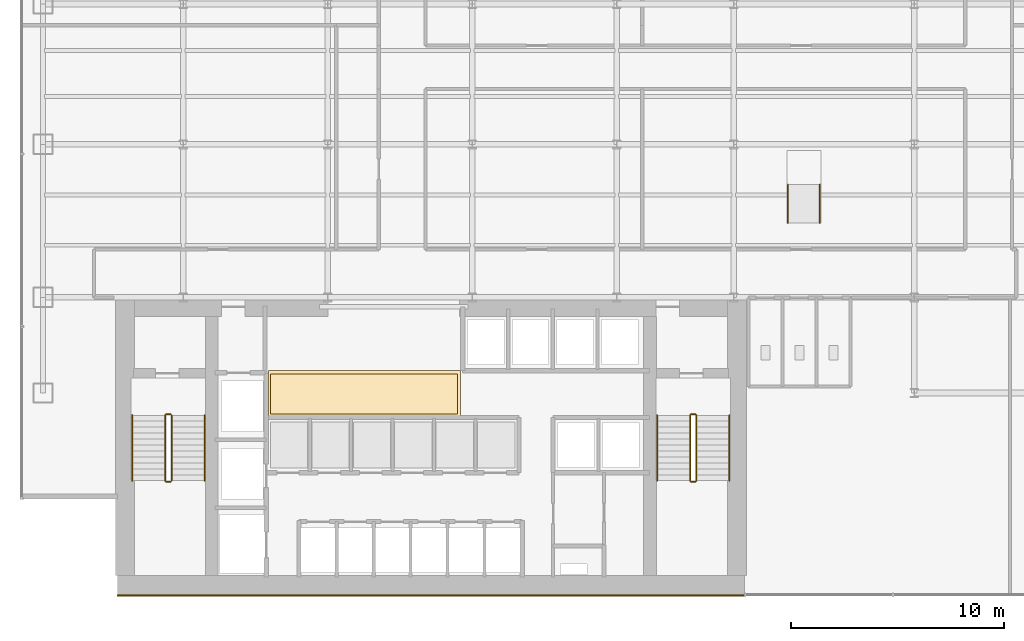
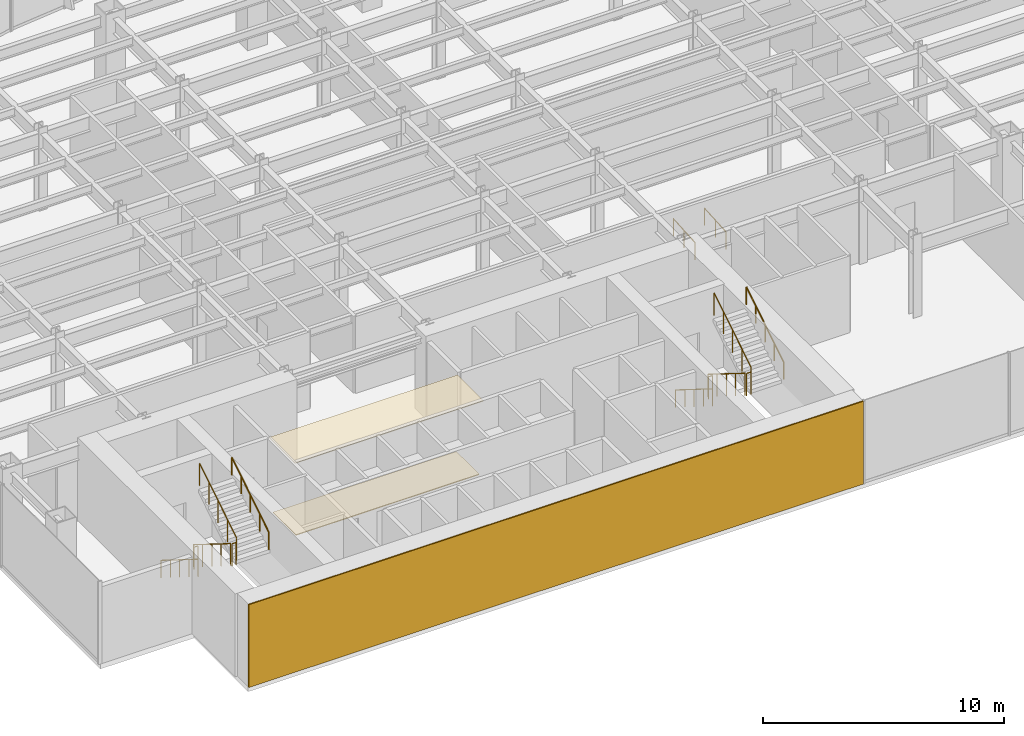
# One storey, part 32 of 35: 14 railings, 3 coverings.
"""IFC4 building model written with IfcOpenShell, lengths in metres."""

from ifc_helpers import new_model, si_unit, derived_unit, direction, frame, origin, origin_2d, place, context, subcontext, project, spatial, polyline, rectangle, circle, outline, extrude, source, transform, mapped, material, layer, layer_set, type_object, element, save


model = new_model("IFC4")

# Units and contexts
model_context = context("Model", 3, precision=1e-05, world=origin(), true_north=direction((0.0, 1.0)))
body_context = subcontext(model_context, "Body", "Model", "MODEL_VIEW")
ifc_project = project(units=[si_unit("LENGTHUNIT", "METRE"), si_unit("AREAUNIT", "SQUARE_METRE"), si_unit("VOLUMEUNIT", "CUBIC_METRE"), si_unit("PLANEANGLEUNIT", "RADIAN"), si_unit("MASSUNIT", "GRAM", prefix="KILO"), derived_unit("THERMALTRANSMITTANCEUNIT", [(si_unit("POWERUNIT", "WATT"), 1), (si_unit("LENGTHUNIT", "METRE"), -2), (si_unit("THERMODYNAMICTEMPERATUREUNIT", "KELVIN"), -1)])], contexts=[model_context])

# Site, building, storey
site_placement = place(None, origin())
site = spatial("IfcSite", under=ifc_project, at=site_placement, CompositionType="ELEMENT")
building_placement = place(site_placement, origin())
building = spatial("IfcBuilding", under=site, at=building_placement, Name="Skarnbrae Concourse Arena and Tower", CompositionType="ELEMENT")
storey_placement = place(building_placement, frame((0.0, 0.0, 79.949951171875)))
storey = spatial("IfcBuildingStorey", under=building, at=storey_placement, Name="L19", CompositionType="ELEMENT", Elevation=79.949951171875)

# Coverings
ifc_material_1 = material(Name="Mineral fibre acoustic ceiling tile", Category="other")
ifc_layer_1 = layer(ifc_material_1, 0.0400390625)
ifc_layer_set_1 = layer_set([ifc_layer_1], Name="Mineral fibre acoustic ceiling tile")
covering_type_1 = type_object("IfcCoveringType", Name="COV-CEIL-ACOUSTIC", PredefinedType="CEILING", material=ifc_layer_set_1)
covering_1_placement = place(storey_placement, frame((0.0, 0.0, 3.739990234375)))
element("IfcCovering", 1, at=covering_1_placement, inside=storey, type_object=covering_type_1, Name="L19 Lift lobby acoustic ceiling", PredefinedType="CEILING", context=body_context, shape_type="SweptSolid", body=[
    extrude(outline(polyline([(11.60009765625, 8.39990234375), (20.64990234375, 8.39990234375), (20.64990234375, 10.550048828125), (11.60009765625, 10.550048828125), (11.60009765625, 8.39990234375)])), origin(), (0.0, 0.0, 1.0), 0.0400390625),
])
ifc_material_2 = material(Name="Polished granite terrazzo flooring", Category="masonry")
ifc_layer_2 = layer(ifc_material_2, 0.0400390625)
ifc_layer_set_2 = layer_set([ifc_layer_2], Name="Polished granite terrazzo flooring")
covering_type_2 = type_object("IfcCoveringType", Name="COV-FLOOR-TERRAZZO", PredefinedType="FLOORING", material=ifc_layer_set_2)
covering_2_placement = place(storey_placement, origin())
element("IfcCovering", 2, at=covering_2_placement, inside=storey, type_object=covering_type_2, Name="L19 Lift lobby terrazzo flooring", PredefinedType="FLOORING", context=body_context, shape_type="SweptSolid", body=[
    extrude(outline(polyline([(11.699951171875, 8.5), (20.5, 8.5), (20.5, 10.39990234375), (11.699951171875, 10.39990234375), (11.699951171875, 8.5)])), origin(), (0.0, 0.0, 1.0), 0.0400390625),
])

# Railings
ifc_material_3 = material(Name="Steel CSA G40.21 350W", Category="steel")
railing_type_1 = type_object("IfcRailingType", Name="RAIL-HANDRAIL-900", PredefinedType="HANDRAIL", material=ifc_material_3)
railing_1_placement = place(storey_placement, frame((5.199951171875, 8.449951171875, 0.175048828125)))
element("IfcRailing", 3, at=railing_1_placement, inside=storey, type_object=railing_type_1, Name="L19 ST-1 stair handrail 1", PredefinedType="HANDRAIL", context=body_context, shape_type="SweptSolid", body=[
    extrude(circle(Radius=0.02392578125, at=origin_2d()), frame((0.0, 0.0, 0.8759765625), z_axis=(0.0, -0.847979421464, 0.530029150871), x_axis=(1.0, 0.0, 0.0)), (0.0, 0.0, 1.0), 3.632080078125),
    extrude(circle(Radius=0.02099609375, at=origin_2d()), origin(), (0.0, 0.0, 1.0), 0.851806640625),
    extrude(circle(Radius=0.02099609375, at=origin_2d()), frame((0.0, -0.77001953125, 0.481201171875)), (0.0, 0.0, 1.0), 0.851806640625),
    extrude(circle(Radius=0.02099609375, at=origin_2d()), frame((0.0, -1.5400390625, 0.96240234375)), (0.0, 0.0, 1.0), 0.851806640625),
    extrude(circle(Radius=0.02099609375, at=origin_2d()), frame((0.0, -2.309814453125, 1.44384765625)), (0.0, 0.0, 1.0), 0.851806640625),
    extrude(circle(Radius=0.02099609375, at=origin_2d()), frame((0.0, -3.079833984375, 1.925048828125)), (0.0, 0.0, 1.0), 0.851806640625),
])
railing_2_placement = place(storey_placement, frame((8.60009765625, 5.3701171875, 2.275146484375)))
element("IfcRailing", 4, at=railing_2_placement, inside=storey, type_object=railing_type_1, Name="L19 ST-1 stair handrail 2", PredefinedType="HANDRAIL", context=body_context, shape_type="SweptSolid", body=[
    extrude(circle(Radius=0.02392578125, at=origin_2d()), frame((0.0, 0.0, 0.8759765625), z_axis=(0.0, 0.848009633417, 0.529980812513), x_axis=(-1.0, 0.0, 0.0)), (0.0, 0.0, 1.0), 3.6318359375),
    extrude(circle(Radius=0.02099609375, at=origin_2d()), origin(), (0.0, 0.0, 1.0), 0.851806640625),
    extrude(circle(Radius=0.02099609375, at=origin_2d()), frame((0.0, 0.77001953125, 0.481201171875)), (0.0, 0.0, 1.0), 0.851806640625),
    extrude(circle(Radius=0.02099609375, at=origin_2d()), frame((0.0, 1.5400390625, 0.96240234375)), (0.0, 0.0, 1.0), 0.851806640625),
    extrude(circle(Radius=0.02099609375, at=origin_2d()), frame((0.0, 2.309814453125, 1.443603515625)), (0.0, 0.0, 1.0), 0.851806640625),
    extrude(circle(Radius=0.02099609375, at=origin_2d()), frame((0.0, 3.079833984375, 1.9248046875)), (0.0, 0.0, 1.0), 0.851806640625),
])
railing_3_placement = place(storey_placement, frame((29.89990234375, 8.449951171875, 0.175048828125)))
element("IfcRailing", 5, at=railing_3_placement, inside=storey, type_object=railing_type_1, Name="L19 ST-2 stair handrail 1", PredefinedType="HANDRAIL", context=body_context, shape_type="SweptSolid", body=[
    extrude(circle(Radius=0.02392578125, at=origin_2d()), frame((0.0, 0.0, 0.8759765625), z_axis=(0.0, -0.847979421464, 0.530029150871), x_axis=(1.0, 0.0, 0.0)), (0.0, 0.0, 1.0), 3.632080078125),
    extrude(circle(Radius=0.02099609375, at=origin_2d()), origin(), (0.0, 0.0, 1.0), 0.851806640625),
    extrude(circle(Radius=0.02099609375, at=origin_2d()), frame((0.0, -0.77001953125, 0.481201171875)), (0.0, 0.0, 1.0), 0.851806640625),
    extrude(circle(Radius=0.02099609375, at=origin_2d()), frame((0.0, -1.5400390625, 0.96240234375)), (0.0, 0.0, 1.0), 0.851806640625),
    extrude(circle(Radius=0.02099609375, at=origin_2d()), frame((0.0, -2.309814453125, 1.44384765625)), (0.0, 0.0, 1.0), 0.851806640625),
    extrude(circle(Radius=0.02099609375, at=origin_2d()), frame((0.0, -3.079833984375, 1.925048828125)), (0.0, 0.0, 1.0), 0.851806640625),
])
railing_4_placement = place(storey_placement, frame((33.300048828125, 5.3701171875, 2.275146484375)))
element("IfcRailing", 6, at=railing_4_placement, inside=storey, type_object=railing_type_1, Name="L19 ST-2 stair handrail 2", PredefinedType="HANDRAIL", context=body_context, shape_type="SweptSolid", body=[
    extrude(circle(Radius=0.02392578125, at=origin_2d()), frame((0.0, 0.0, 0.8759765625), z_axis=(0.0, 0.848009633417, 0.529980812513), x_axis=(-1.0, 0.0, 0.0)), (0.0, 0.0, 1.0), 3.6318359375),
    extrude(circle(Radius=0.02099609375, at=origin_2d()), origin(), (0.0, 0.0, 1.0), 0.851806640625),
    extrude(circle(Radius=0.02099609375, at=origin_2d()), frame((0.0, 0.77001953125, 0.481201171875)), (0.0, 0.0, 1.0), 0.851806640625),
    extrude(circle(Radius=0.02099609375, at=origin_2d()), frame((0.0, 1.5400390625, 0.96240234375)), (0.0, 0.0, 1.0), 0.851806640625),
    extrude(circle(Radius=0.02099609375, at=origin_2d()), frame((0.0, 2.309814453125, 1.443603515625)), (0.0, 0.0, 1.0), 0.851806640625),
    extrude(circle(Radius=0.02099609375, at=origin_2d()), frame((0.0, 3.079833984375, 1.9248046875)), (0.0, 0.0, 1.0), 0.851806640625),
])
for number, where, name in (
    (7, (36.050048828125, 17.5, 0.02001953125), "L19 Accessible ramp handrail W"),
    (8, (37.550048828125, 17.5, 0.02001953125), "L19 Accessible ramp handrail E"),
):
    element("IfcRailing", number, at=place(storey_placement, frame(where)), inside=storey, type_object=railing_type_1, Name=name, PredefinedType="HANDRAIL", context=body_context, shape_type="SweptSolid", body=[
        extrude(circle(Radius=0.02392578125, at=origin_2d()), frame((0.0, 0.0, 0.8759765625), z_axis=(0.0, 0.997780964268, 0.0665818845), x_axis=(-1.0, 0.0, 0.0)), (0.0, 0.0, 1.0), 1.803955078125),
        extrude(circle(Radius=0.02099609375, at=origin_2d()), origin(), (0.0, 0.0, 1.0), 0.851806640625),
        extrude(circle(Radius=0.02099609375, at=origin_2d()), frame((0.0, 0.89990234375, 0.06005859375)), (0.0, 0.0, 1.0), 0.851806640625),
        extrude(circle(Radius=0.02099609375, at=origin_2d()), frame((0.0, 1.800048828125, 0.1201171875)), (0.0, 0.0, 1.0), 0.851806640625),
    ])
railing_type_2 = type_object("IfcRailingType", Name="RAIL-STAIR-GUARD-1150", PredefinedType="GUARDRAIL", material=ifc_material_3)
railing_5_placement = place(storey_placement, frame((6.75, 8.449951171875, 0.175048828125)))
element("IfcRailing", 9, at=railing_5_placement, inside=storey, type_object=railing_type_2, Name="L19 ST-1 stair guard 1", PredefinedType="GUARDRAIL", context=body_context, shape_type="SweptSolid", body=[
    extrude(circle(Radius=0.02392578125, at=origin_2d()), frame((0.0, 0.0, 1.1259765625), z_axis=(0.0, -0.847979421464, 0.530029150871), x_axis=(1.0, 0.0, 0.0)), (0.0, 0.0, 1.0), 3.632080078125),
    extrude(circle(Radius=0.02099609375, at=origin_2d()), origin(), (0.0, 0.0, 1.0), 1.101806640625),
    extrude(circle(Radius=0.02099609375, at=origin_2d()), frame((0.0, -0.77001953125, 0.481201171875)), (0.0, 0.0, 1.0), 1.101806640625),
    extrude(circle(Radius=0.02099609375, at=origin_2d()), frame((0.0, -1.5400390625, 0.96240234375)), (0.0, 0.0, 1.0), 1.101806640625),
    extrude(circle(Radius=0.02099609375, at=origin_2d()), frame((0.0, -2.309814453125, 1.44384765625)), (0.0, 0.0, 1.0), 1.101806640625),
    extrude(circle(Radius=0.02099609375, at=origin_2d()), frame((0.0, -3.079833984375, 1.925048828125)), (0.0, 0.0, 1.0), 1.101806640625),
])
railing_6_placement = place(storey_placement, frame((6.800048828125, 5.320068359375, 2.10009765625)))
element("IfcRailing", 10, at=railing_6_placement, inside=storey, type_object=railing_type_2, Name="L19 ST-1 stair guard 2", PredefinedType="GUARDRAIL", context=body_context, shape_type="SweptSolid", body=[
    extrude(circle(Radius=0.02392578125, at=origin_2d()), frame((0.0, 0.0, 1.1259765625), z_axis=(1.0, 0.0, 0.0), x_axis=(0.0, 1.0, 0.0)), (0.0, 0.0, 1.0), 0.199951171875),
    extrude(circle(Radius=0.02099609375, at=origin_2d()), origin(), (0.0, 0.0, 1.0), 1.101806640625),
    extrude(circle(Radius=0.02099609375, at=origin_2d()), frame((0.199951171875, 0.0, 0.0)), (0.0, 0.0, 1.0), 1.101806640625),
])
railing_7_placement = place(storey_placement, frame((7.050048828125, 5.3701171875, 2.275146484375)))
element("IfcRailing", 11, at=railing_7_placement, inside=storey, type_object=railing_type_2, Name="L19 ST-1 stair guard 3", PredefinedType="GUARDRAIL", context=body_context, shape_type="SweptSolid", body=[
    extrude(circle(Radius=0.02392578125, at=origin_2d()), frame((0.0, 0.0, 1.1259765625), z_axis=(0.0, 0.848009633417, 0.529980812513), x_axis=(-1.0, 0.0, 0.0)), (0.0, 0.0, 1.0), 3.6318359375),
    extrude(circle(Radius=0.02099609375, at=origin_2d()), origin(), (0.0, 0.0, 1.0), 1.101806640625),
    extrude(circle(Radius=0.02099609375, at=origin_2d()), frame((0.0, 0.77001953125, 0.481201171875)), (0.0, 0.0, 1.0), 1.101806640625),
    extrude(circle(Radius=0.02099609375, at=origin_2d()), frame((0.0, 1.5400390625, 0.96240234375)), (0.0, 0.0, 1.0), 1.101806640625),
    extrude(circle(Radius=0.02099609375, at=origin_2d()), frame((0.0, 2.309814453125, 1.443603515625)), (0.0, 0.0, 1.0), 1.101806640625),
    extrude(circle(Radius=0.02099609375, at=origin_2d()), frame((0.0, 3.079833984375, 1.9248046875)), (0.0, 0.0, 1.0), 1.101806640625),
])
railing_8_placement = place(storey_placement, frame((6.800048828125, 8.5, 0.0)))
element("IfcRailing", 12, at=railing_8_placement, inside=storey, type_object=railing_type_2, Name="L19 ST-1 stair guard 4", PredefinedType="GUARDRAIL", context=body_context, shape_type="SweptSolid", body=[
    extrude(circle(Radius=0.02392578125, at=origin_2d()), frame((0.0, 0.0, 1.1259765625), z_axis=(1.0, 0.0, 0.0), x_axis=(0.0, 1.0, 0.0)), (0.0, 0.0, 1.0), 0.199951171875),
    extrude(circle(Radius=0.02099609375, at=origin_2d()), origin(), (0.0, 0.0, 1.0), 1.101806640625),
    extrude(circle(Radius=0.02099609375, at=origin_2d()), frame((0.199951171875, 0.0, 0.0)), (0.0, 0.0, 1.0), 1.101806640625),
])
railing_9_placement = place(storey_placement, frame((31.449951171875, 8.449951171875, 0.175048828125)))
element("IfcRailing", 13, at=railing_9_placement, inside=storey, type_object=railing_type_2, Name="L19 ST-2 stair guard 1", PredefinedType="GUARDRAIL", context=body_context, shape_type="SweptSolid", body=[
    extrude(circle(Radius=0.02392578125, at=origin_2d()), frame((0.0, 0.0, 1.1259765625), z_axis=(0.0, -0.847979421464, 0.530029150871), x_axis=(1.0, 0.0, 0.0)), (0.0, 0.0, 1.0), 3.632080078125),
    extrude(circle(Radius=0.02099609375, at=origin_2d()), origin(), (0.0, 0.0, 1.0), 1.101806640625),
    extrude(circle(Radius=0.02099609375, at=origin_2d()), frame((0.0, -0.77001953125, 0.481201171875)), (0.0, 0.0, 1.0), 1.101806640625),
    extrude(circle(Radius=0.02099609375, at=origin_2d()), frame((0.0, -1.5400390625, 0.96240234375)), (0.0, 0.0, 1.0), 1.101806640625),
    extrude(circle(Radius=0.02099609375, at=origin_2d()), frame((0.0, -2.309814453125, 1.44384765625)), (0.0, 0.0, 1.0), 1.101806640625),
    extrude(circle(Radius=0.02099609375, at=origin_2d()), frame((0.0, -3.079833984375, 1.925048828125)), (0.0, 0.0, 1.0), 1.101806640625),
])
railing_10_placement = place(storey_placement, frame((31.5, 5.320068359375, 2.10009765625)))
element("IfcRailing", 14, at=railing_10_placement, inside=storey, type_object=railing_type_2, Name="L19 ST-2 stair guard 2", PredefinedType="GUARDRAIL", context=body_context, shape_type="SweptSolid", body=[
    extrude(circle(Radius=0.02392578125, at=origin_2d()), frame((0.0, 0.0, 1.1259765625), z_axis=(1.0, 0.0, 0.0), x_axis=(0.0, 1.0, 0.0)), (0.0, 0.0, 1.0), 0.199951171875),
    extrude(circle(Radius=0.02099609375, at=origin_2d()), origin(), (0.0, 0.0, 1.0), 1.101806640625),
    extrude(circle(Radius=0.02099609375, at=origin_2d()), frame((0.199951171875, 0.0, 0.0)), (0.0, 0.0, 1.0), 1.101806640625),
])
railing_11_placement = place(storey_placement, frame((31.75, 5.3701171875, 2.275146484375)))
element("IfcRailing", 15, at=railing_11_placement, inside=storey, type_object=railing_type_2, Name="L19 ST-2 stair guard 3", PredefinedType="GUARDRAIL", context=body_context, shape_type="SweptSolid", body=[
    extrude(circle(Radius=0.02392578125, at=origin_2d()), frame((0.0, 0.0, 1.1259765625), z_axis=(0.0, 0.848009633417, 0.529980812513), x_axis=(-1.0, 0.0, 0.0)), (0.0, 0.0, 1.0), 3.6318359375),
    extrude(circle(Radius=0.02099609375, at=origin_2d()), origin(), (0.0, 0.0, 1.0), 1.101806640625),
    extrude(circle(Radius=0.02099609375, at=origin_2d()), frame((0.0, 0.77001953125, 0.481201171875)), (0.0, 0.0, 1.0), 1.101806640625),
    extrude(circle(Radius=0.02099609375, at=origin_2d()), frame((0.0, 1.5400390625, 0.96240234375)), (0.0, 0.0, 1.0), 1.101806640625),
    extrude(circle(Radius=0.02099609375, at=origin_2d()), frame((0.0, 2.309814453125, 1.443603515625)), (0.0, 0.0, 1.0), 1.101806640625),
    extrude(circle(Radius=0.02099609375, at=origin_2d()), frame((0.0, 3.079833984375, 1.9248046875)), (0.0, 0.0, 1.0), 1.101806640625),
])
railing_12_placement = place(storey_placement, frame((31.5, 8.5, 0.0)))
element("IfcRailing", 16, at=railing_12_placement, inside=storey, type_object=railing_type_2, Name="L19 ST-2 stair guard 4", PredefinedType="GUARDRAIL", context=body_context, shape_type="SweptSolid", body=[
    extrude(circle(Radius=0.02392578125, at=origin_2d()), frame((0.0, 0.0, 1.1259765625), z_axis=(1.0, 0.0, 0.0), x_axis=(0.0, 1.0, 0.0)), (0.0, 0.0, 1.0), 0.199951171875),
    extrude(circle(Radius=0.02099609375, at=origin_2d()), origin(), (0.0, 0.0, 1.0), 1.101806640625),
    extrude(circle(Radius=0.02099609375, at=origin_2d()), frame((0.199951171875, 0.0, 0.0)), (0.0, 0.0, 1.0), 1.101806640625),
])

# Covering
ifc_material_4 = material(Name="Bronze anodised aluminium 6063-T6", Category="aluminium")
ifc_layer_3 = layer(ifc_material_4, 0.06005859375)
ifc_layer_set_3 = layer_set([ifc_layer_3], Name="Bronze anodised aluminium 6063-T6")
covering_type_3 = type_object("IfcCoveringType", Name="COV-CLAD-BRONZE-60", PredefinedType="CLADDING", material=ifc_layer_set_3)
shared_shape = source(origin(), body_context, "Body", "SweptSolid", [
    extrude(rectangle(XDim=29.5, YDim=0.06005859375, at=origin_2d()), origin(), (0.0, 0.0, 1.0), 4.199951171875),
])
covering_3_placement = place(storey_placement, frame((19.25, -0.030029296875, 0.0), z_axis=(0.0, 0.0, 1.0), x_axis=(1.0, 0.0, 0.0)))
element("IfcCovering", 17, at=covering_3_placement, inside=storey, type_object=covering_type_3, Name="L19 Rear-core plumb spine bronze rainscreen panel", PredefinedType="CLADDING", context=body_context, shape_type="MappedRepresentation", body=[
    mapped(shared_shape, transform((0.0, 0.0, 0.0))),
])

save(model, "model.ifc")
